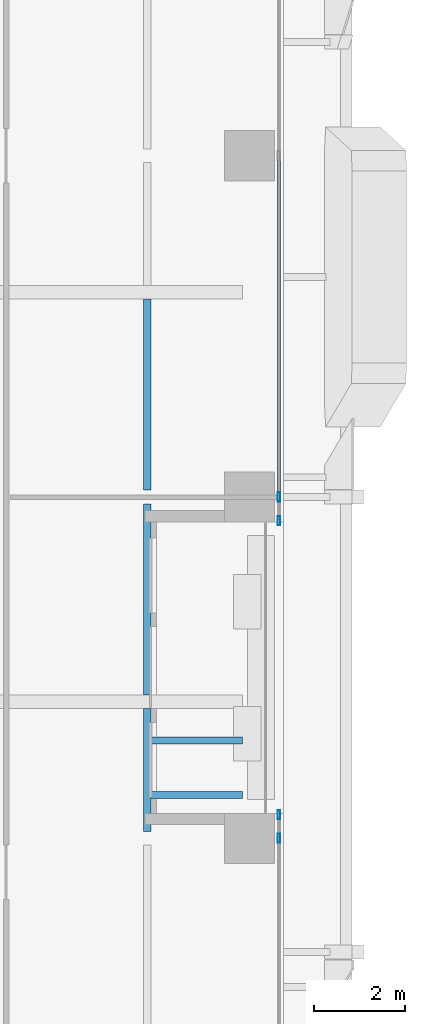
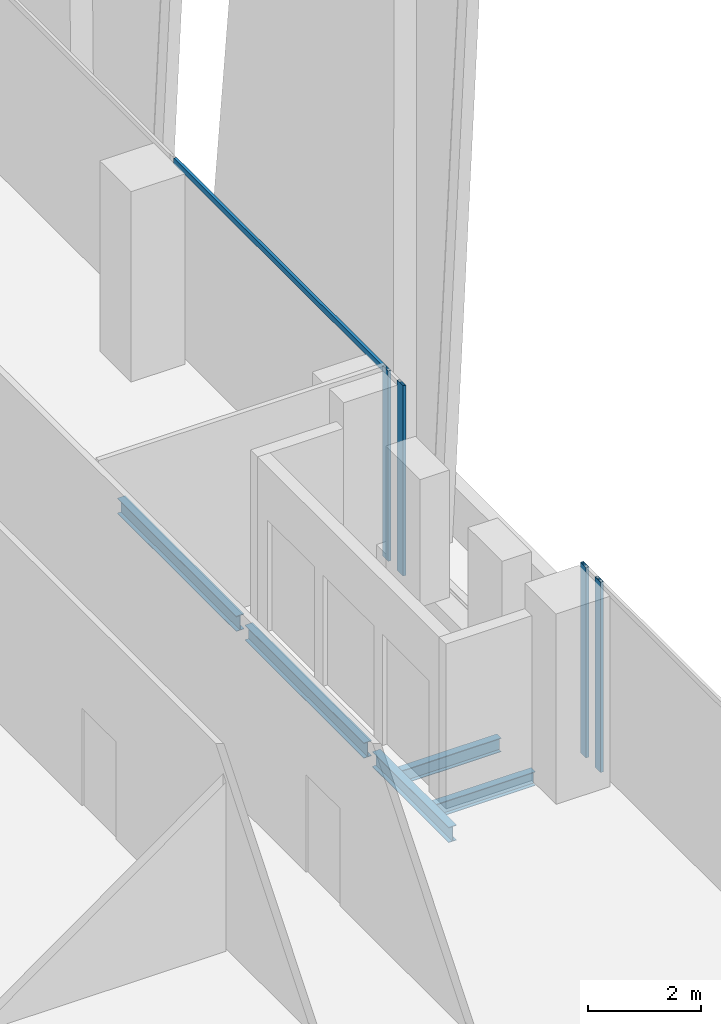
# One storey, part 11 of 37: 5 beams, 5 members, 2 elements without a shape of their own.
"""IFC4 building model written with IfcOpenShell, lengths in metres."""

from ifc_helpers import new_model, si_unit, direction, frame, origin, origin_2d, place, context, subcontext, project, spatial, hollow_rectangle, i_section, extrude, source, transform, mapped, material, material_profile, profile_set, type_object, element, aggregate, save


model = new_model("IFC4")

# Units and contexts
model_context = context("Model", 3, precision=1e-05, world=origin(), true_north=direction((0.0, 1.0)))
body_context = subcontext(model_context, "Body", "Model", "MODEL_VIEW")
ifc_project = project(units=[si_unit("LENGTHUNIT", "METRE"), si_unit("AREAUNIT", "SQUARE_METRE"), si_unit("VOLUMEUNIT", "CUBIC_METRE"), si_unit("PLANEANGLEUNIT", "RADIAN"), si_unit("MASSUNIT", "GRAM", prefix="KILO")], contexts=[model_context])

# Site, building, storey
site_placement = place(None, origin())
site = spatial("IfcSite", under=ifc_project, at=site_placement, CompositionType="ELEMENT")
building_placement = place(site_placement, origin())
building = spatial("IfcBuilding", under=site, at=building_placement, Name="Khomas Fold Tower", CompositionType="ELEMENT")
storey_placement = place(building_placement, frame((0.0, 0.0, 101.5)))
storey = spatial("IfcBuildingStorey", under=building, at=storey_placement, Name="L21", CompositionType="ELEMENT", Elevation=101.5)

# Beams
ifc_material_1 = material(Name="Steel S355", Category="steel")
ifc_material_profile_1 = material_profile(ifc_material_1, i_section(OverallWidth=0.159912109375, OverallDepth=0.330078125, WebThickness=0.007568359375, FlangeThickness=0.011474609375, at=origin_2d()), Name="IPE 330")
ifc_profile_set_1 = profile_set([ifc_material_profile_1], Name="Steel S355")
beam_type_1 = type_object("IfcBeamType", Name="IPE 330 beam JB1", PredefinedType="BEAM", material=ifc_profile_set_1)
shared_shape_1 = source(origin(), body_context, "Body", "SweptSolid", [
    extrude(i_section(OverallWidth=0.159912109375, OverallDepth=0.330078125, WebThickness=0.007568359375, FlangeThickness=0.011474609375, at=origin_2d()), origin(), (0.0, 0.0, 1.0), 2.698486328125),
])
beam_placement = place(storey_placement, frame((49.5, 19.651611328125, -0.465087890625), z_axis=(0.0, 1.0, 0.0), x_axis=(-1.0, 0.0, 0.0)))
element("IfcBeam", 1, at=beam_placement, inside=storey, type_object=beam_type_1, Name="JB1", PredefinedType="BEAM", context=body_context, shape_type="MappedRepresentation", body=[
    mapped(shared_shape_1, transform((0.0, 0.0, 0.0))),
])
shared_shape_2 = source(origin(), body_context, "Body", "SweptSolid", [
    extrude(i_section(OverallWidth=0.159912109375, OverallDepth=0.330078125, WebThickness=0.007568359375, FlangeThickness=0.011474609375, at=origin_2d()), origin(), (0.0, 0.0, 1.0), 4.198486328125),
])
for number, where, z_axis, x_axis, name in (
    (2, (49.5, 22.64990234375, -0.465087890625), (0.0, 1.0, 0.0), (-1.0, 0.0, 0.0), "JB1"),
    (3, (49.5, 27.151611328125, -0.465087890625), (0.0, 1.0, 0.0), (-1.0, 0.0, 0.0), "JB1"),
):
    element("IfcBeam", number, at=place(storey_placement, frame(where, z_axis=z_axis, x_axis=x_axis)), inside=storey, type_object=beam_type_1, Name=name, PredefinedType="BEAM", context=body_context, shape_type="MappedRepresentation", body=[
        mapped(shared_shape_2, transform((0.0, 0.0, 0.0))),
    ])
ifc_material_2 = material(Name="Steel S355", Category="steel")
ifc_material_profile_2 = material_profile(ifc_material_2, i_section(OverallWidth=0.14990234375, OverallDepth=0.300048828125, WebThickness=0.007080078125, FlangeThickness=0.0107421875, at=origin_2d()), Name="IPE 300")
ifc_profile_set_2 = profile_set([ifc_material_profile_2], Name="Steel S355")
beam_type_2 = type_object("IfcBeamType", Name="IPE 300 beam BB2", PredefinedType="BEAM", material=ifc_profile_set_2)
shared_shape_3 = source(origin(), body_context, "Body", "SweptSolid", [
    extrude(i_section(OverallWidth=0.14990234375, OverallDepth=0.300048828125, WebThickness=0.007080078125, FlangeThickness=0.0107421875, at=origin_2d()), origin(), (0.0, 0.0, 1.0), 2.02001953125),
])
for number, where, z_axis, x_axis, name in (
    (4, (49.580078125, 20.449951171875, -0.449951171875), (1.0, 0.0, 0.0), (0.0, 1.0, 0.0), "BB2"),
    (5, (49.580078125, 21.64990234375, -0.449951171875), (1.0, 0.0, 0.0), (0.0, 1.0, 0.0), "BB2"),
):
    element("IfcBeam", number, at=place(storey_placement, frame(where, z_axis=z_axis, x_axis=x_axis)), inside=storey, type_object=beam_type_2, Name=name, PredefinedType="BEAM", context=body_context, shape_type="MappedRepresentation", body=[
        mapped(shared_shape_3, transform((0.0, 0.0, 0.0))),
    ])

# Curtain wall, member
ifc_material_3 = material(Name="Aluminium framed double glazing", Category="aluminium")
curtain_wall_type = type_object("IfcCurtainWallType", Name="SK-Unitised clear-glass wall, growing floors CW1", PredefinedType="NOTDEFINED", material=ifc_material_3)
curtain_wall_1_placement = place(storey_placement, origin())
curtain_wall_1 = element("IfcCurtainWall", 6, at=curtain_wall_1_placement, inside=storey, type_object=curtain_wall_type, Name="CW1 run L21 03-1", PredefinedType="NOTDEFINED")
ifc_material_4 = material(Name="Aluminium", Category="aluminium")
ifc_material_profile_3 = material_profile(ifc_material_4, hollow_rectangle(XDim=0.06005859375, YDim=0.1201171875, WallThickness=0.00390625, at=origin_2d()), Name="SK-Unitised clear-glass wall, growing floors transom CW1-T")
ifc_profile_set_3 = profile_set([ifc_material_profile_3], Name="Aluminium")
member_type_1 = type_object("IfcMemberType", Name="SK-Unitised clear-glass wall, growing floors transom CW1-T", PredefinedType="USERDEFINED", material=ifc_profile_set_3)
shared_shape_4 = source(origin(), body_context, "Body", "SweptSolid", [
    extrude(hollow_rectangle(XDim=0.06005859375, YDim=0.1201171875, WallThickness=0.00390625, at=origin_2d()), origin(), (0.0, 0.0, 1.0), 7.43994140625),
])
member_1_placement = place(storey_placement, frame((52.39990234375, 27.030029296875, 4.0400390625), z_axis=(0.0, 1.0, 0.0), x_axis=(-1.0, 0.0, 0.0)))
member_1 = element("IfcMember", 7, at=member_1_placement, type_object=member_type_1, Name="CW1 transom 2", ObjectType="TRANSOM", PredefinedType="USERDEFINED", context=body_context, shape_type="MappedRepresentation", body=[
    mapped(shared_shape_4, transform((0.0, 0.0, 0.0))),
])

# Curtain wall, members
curtain_wall_2_placement = place(storey_placement, origin())
curtain_wall_2 = element("IfcCurtainWall", 8, at=curtain_wall_2_placement, inside=storey, type_object=curtain_wall_type, Name="CW1 run L21 03-0", PredefinedType="NOTDEFINED")
ifc_material_5 = material(Name="Aluminium", Category="aluminium")
ifc_material_profile_4 = material_profile(ifc_material_5, hollow_rectangle(XDim=0.06005859375, YDim=0.199951171875, WallThickness=0.00390625, at=origin_2d()), Name="SK-Unitised clear-glass wall, growing floors mullion CW1-M")
ifc_profile_set_4 = profile_set([ifc_material_profile_4], Name="Aluminium")
member_type_2 = type_object("IfcMemberType", Name="SK-Unitised clear-glass wall, growing floors mullion CW1-M", PredefinedType="MULLION", material=ifc_profile_set_4)
shared_shape_5 = source(origin(), body_context, "Body", "SweptSolid", [
    extrude(hollow_rectangle(XDim=0.06005859375, YDim=0.199951171875, WallThickness=0.00390625, at=origin_2d()), origin(), (0.0, 0.0, 1.0), 4.10009765625),
])
member_2_placement = place(storey_placement, frame((52.39990234375, 19.5, 0.0), z_axis=(0.0, 0.0, 1.0), x_axis=(-1.0, 0.0, 0.0)))
member_2 = element("IfcMember", 9, at=member_2_placement, type_object=member_type_2, Name="CW1 mullion 4", PredefinedType="MULLION", context=body_context, shape_type="MappedRepresentation", body=[
    mapped(shared_shape_5, transform((0.0, 0.0, 0.0))),
])
member_3_placement = place(storey_placement, frame((52.39990234375, 20.02001953125, 0.0), z_axis=(0.0, 0.0, 1.0), x_axis=(-1.0, 0.0, 0.0)))
member_3 = element("IfcMember", 10, at=member_3_placement, type_object=member_type_2, Name="CW1 mullion 5", PredefinedType="MULLION", context=body_context, shape_type="MappedRepresentation", body=[
    mapped(shared_shape_5, transform((0.0, 0.0, 0.0))),
])
aggregate(curtain_wall_2, [member_2, member_3])

# Member
member_4_placement = place(storey_placement, frame((52.39990234375, 26.47998046875, 0.0), z_axis=(0.0, 0.0, 1.0), x_axis=(-1.0, 0.0, 0.0)))
member_4 = element("IfcMember", 11, at=member_4_placement, type_object=member_type_2, Name="CW1 mullion 1", PredefinedType="MULLION", context=body_context, shape_type="MappedRepresentation", body=[
    mapped(shared_shape_5, transform((0.0, 0.0, 0.0))),
])

member_5_placement = place(storey_placement, frame((52.39990234375, 27.0, 0.0), z_axis=(0.0, 0.0, 1.0), x_axis=(-1.0, 0.0, 0.0)))
member_5 = element("IfcMember", 12, at=member_5_placement, type_object=member_type_2, Name="CW1 mullion 2", PredefinedType="MULLION", context=body_context, shape_type="MappedRepresentation", body=[
    mapped(shared_shape_5, transform((0.0, 0.0, 0.0))),
])

aggregate(curtain_wall_1, [member_4, member_5, member_1])

save(model, "model.ifc")
